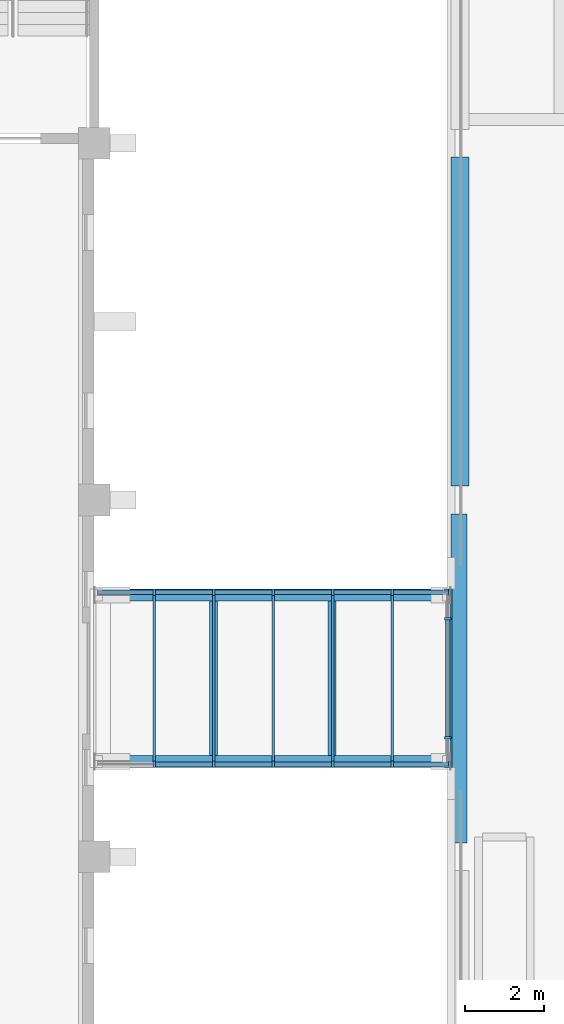
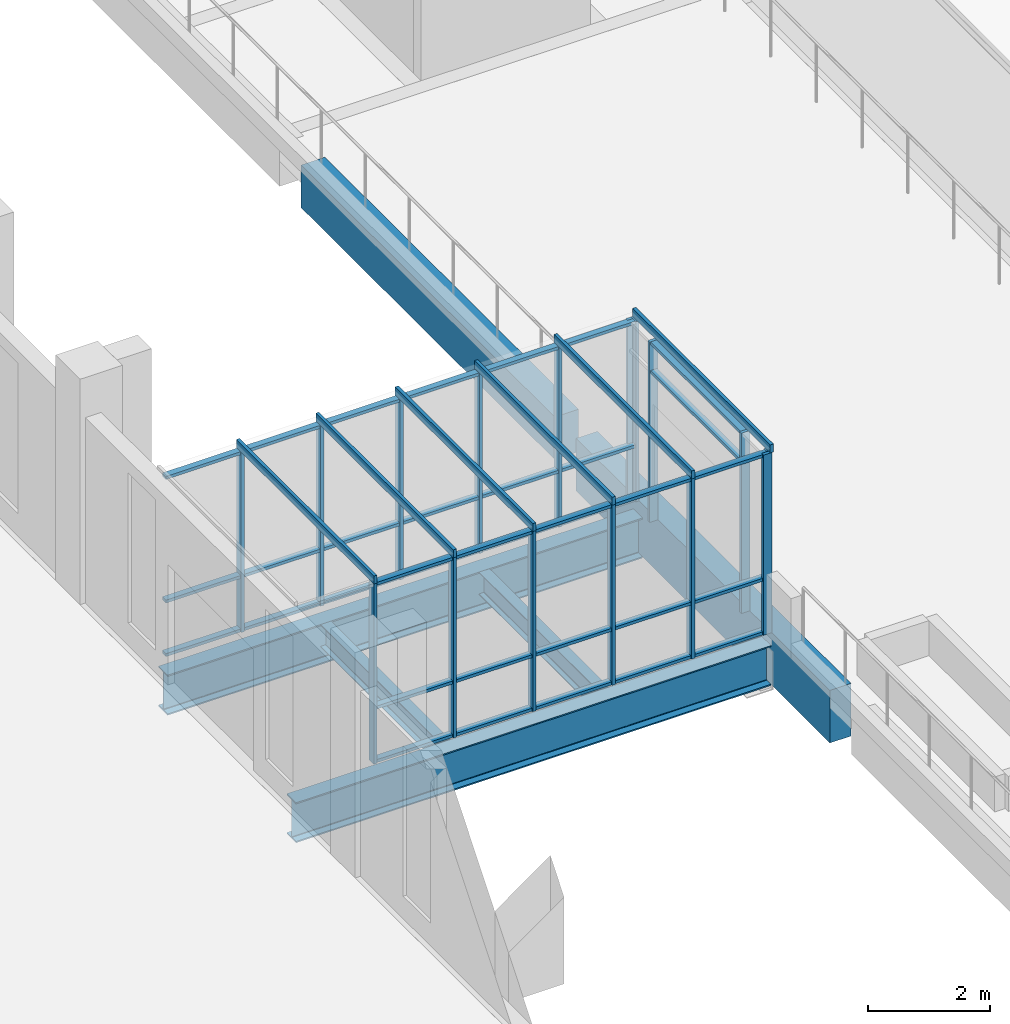
# One storey, part 18 of 79: 57 members, 6 beams, 4 elements without a shape of their own.
"""IFC4 building model written with IfcOpenShell, lengths in metres."""

from ifc_helpers import new_model, si_unit, direction, frame, origin, origin_2d, place, context, subcontext, project, spatial, rectangle, i_section, extrude, material, layer, layer_set, material_profile, profile_set, type_object, element, aggregate, save


model = new_model("IFC4")

# Units and contexts
model_context = context("Model", 3, precision=1e-05, world=origin(), true_north=direction((0.0, 1.0)))
body_context = subcontext(model_context, "Body", "Model", "MODEL_VIEW")
ifc_project = project(units=[si_unit("LENGTHUNIT", "METRE"), si_unit("AREAUNIT", "SQUARE_METRE"), si_unit("VOLUMEUNIT", "CUBIC_METRE"), si_unit("PLANEANGLEUNIT", "RADIAN"), si_unit("MASSUNIT", "GRAM", prefix="KILO")], contexts=[model_context])

# Site, building, storey
site_placement = place(None, origin())
site = spatial("IfcSite", under=ifc_project, at=site_placement, CompositionType="ELEMENT")
building_placement = place(site_placement, origin())
building = spatial("IfcBuilding", under=site, at=building_placement, Name="Guidao Yard Department Store", CompositionType="ELEMENT")
storey_placement = place(building_placement, frame((0.0, 0.0, 15.0)))
storey = spatial("IfcBuildingStorey", under=building, at=storey_placement, Name="L03", CompositionType="ELEMENT", Elevation=15.0)

# Beams
ifc_material_1 = material(Name="Concrete C40", Category="concrete")
ifc_material_profile_1 = material_profile(ifc_material_1, rectangle(XDim=0.39990234375, YDim=1.050048828125, at=origin_2d()), Name="Bridge landing beam 400 x 1050 C40")
ifc_profile_set_1 = profile_set([ifc_material_profile_1], Name="Concrete C40")
beam_type_1 = type_object("IfcBeamType", Name="Bridge landing beam 400 x 1050 C40", PredefinedType="BEAM", material=ifc_profile_set_1)
beam_1_placement = place(storey_placement, frame((72.199951171875, 63.35009765625, -0.52490234375), z_axis=(0.0, 1.0, 0.0), x_axis=(-1.0, 0.0, 0.0)))
element("IfcBeam", 1, at=beam_1_placement, inside=storey, type_object=beam_type_1, Name="Beam LB02", PredefinedType="BEAM", context=body_context, shape_type="SweptSolid", body=[
    extrude(rectangle(XDim=0.39990234375, YDim=1.050048828125, at=origin_2d()), origin(), (0.0, 0.0, 1.0), 8.2998046875),
])
ifc_material_2 = material(Name="Concrete C40", Category="concrete")
ifc_material_profile_2 = material_profile(ifc_material_2, rectangle(XDim=0.449951171875, YDim=0.85009765625, at=origin_2d()), Name="Garden roof spandrel beam 450 x 850 C40")
ifc_profile_set_2 = profile_set([ifc_material_profile_2], Name="Concrete C40")
beam_type_2 = type_object("IfcBeamType", Name="Garden roof spandrel beam 450 x 850 C40", PredefinedType="SPANDREL", material=ifc_profile_set_2)
beam_2_placement = place(storey_placement, frame((72.22509765625, 72.35009765625, -0.425048828125), z_axis=(0.0, 1.0, 0.0), x_axis=(-1.0, 0.0, 0.0)))
element("IfcBeam", 2, at=beam_2_placement, inside=storey, type_object=beam_type_2, Name="Beam EB49", PredefinedType="SPANDREL", context=body_context, shape_type="SweptSolid", body=[
    extrude(rectangle(XDim=0.449951171875, YDim=0.85009765625, at=origin_2d()), origin(), (0.0, 0.0, 1.0), 8.2998046875),
])
ifc_material_3 = material(Name="Steel Q355B", Category="steel")
ifc_material_profile_3 = material_profile(ifc_material_3, i_section(OverallWidth=0.199951171875, OverallDepth=0.449951171875, WebThickness=0.009033203125, FlangeThickness=0.013916015625, FilletRadius=0.012939453125, at=origin_2d()), Name="HN 450x200x9x14")
ifc_profile_set_3 = profile_set([ifc_material_profile_3], Name="Steel Q355B")
beam_type_3 = type_object("IfcBeamType", Name="HN 450x200x9x14", PredefinedType="BEAM", material=ifc_profile_set_3)
for number, where, z_axis, x_axis, name in (
    (3, (66.0048828125, 65.550048828125, -0.47509765625), (0.0, 1.0, 0.0), (-1.0, 0.0, 0.0), "Bridge cross beam BR05-1"),
    (4, (68.9951171875, 65.550048828125, -0.47509765625), (0.0, 1.0, 0.0), (-1.0, 0.0, 0.0), "Bridge cross beam BR05-2"),
):
    element("IfcBeam", number, at=place(storey_placement, frame(where, z_axis=z_axis, x_axis=x_axis)), inside=storey, type_object=beam_type_3, Name=name, PredefinedType="BEAM", context=body_context, shape_type="SweptSolid", body=[
        extrude(i_section(OverallWidth=0.199951171875, OverallDepth=0.449951171875, WebThickness=0.009033203125, FlangeThickness=0.013916015625, FilletRadius=0.012939453125, at=origin_2d()), origin(), (0.0, 0.0, 1.0), 3.89990234375),
    ])
ifc_material_4 = material(Name="Steel Q355B", Category="steel")
ifc_material_profile_4 = material_profile(ifc_material_4, i_section(OverallWidth=0.300048828125, OverallDepth=0.800048828125, WebThickness=0.013916015625, FlangeThickness=0.02587890625, FilletRadius=0.01806640625, at=origin_2d()), Name="HN 800x300x14x26")
ifc_profile_set_4 = profile_set([ifc_material_profile_4], Name="Steel Q355B")
beam_type_4 = type_object("IfcBeamType", Name="HN 800x300x14x26", PredefinedType="BEAM", material=ifc_profile_set_4)
for number, where, z_axis, x_axis, name in (
    (5, (63.014892578125, 65.39990234375, -0.64990234375), (1.0, 0.0, 0.0), (0.0, 1.0, 0.0), "Bridge girder BR05S"),
    (6, (63.014892578125, 69.60009765625, -0.64990234375), (1.0, 0.0, 0.0), (0.0, 1.0, 0.0), "Bridge girder BR05N"),
):
    element("IfcBeam", number, at=place(storey_placement, frame(where, z_axis=z_axis, x_axis=x_axis)), inside=storey, type_object=beam_type_4, Name=name, PredefinedType="BEAM", context=body_context, shape_type="SweptSolid", body=[
        extrude(i_section(OverallWidth=0.300048828125, OverallDepth=0.800048828125, WebThickness=0.013916015625, FlangeThickness=0.02587890625, FilletRadius=0.01806640625, at=origin_2d()), origin(), (0.0, 0.0, 1.0), 8.97021484375),
    ])

# Curtain wall, members
ifc_material_5 = material(Name="Aluminium and glass", Category="aluminium")
ifc_layer = layer(ifc_material_5, 0.159912109375)
ifc_layer_set = layer_set([ifc_layer], Name="Bridge glazing CW5 1500 module")
curtain_wall_type = type_object("IfcCurtainWallType", Name="Bridge glazing CW5 1500 module", PredefinedType="NOTDEFINED", material=ifc_layer_set)
curtain_wall_1_placement = place(storey_placement, origin())
curtain_wall_1 = element("IfcCurtainWall", 7, at=curtain_wall_1_placement, inside=storey, type_object=curtain_wall_type, Name="Bridge glazing BR05 S", PredefinedType="NOTDEFINED")
ifc_material_6 = material(Name="Aluminium 6063-T5", Category="aluminium")
ifc_material_profile_5 = material_profile(ifc_material_6, rectangle(XDim=0.06005859375, YDim=0.159912109375, at=origin_2d()), Name="Mullion M1 60 x 160 aluminium pressure plate")
ifc_profile_set_5 = profile_set([ifc_material_profile_5], Name="Aluminium 6063-T5")
member_type_1 = type_object("IfcMemberType", Name="Mullion M1 60 x 160 aluminium pressure plate", PredefinedType="MULLION", material=ifc_profile_set_5)
member_1_placement = place(storey_placement, frame((64.514892578125, 65.330078125, 0.0), z_axis=(0.0, 0.0, 1.0), x_axis=(-1.0, 0.0, 0.0)))
member_1 = element("IfcMember", 8, at=member_1_placement, type_object=member_type_1, Name="CW-S-L03-01 mullion 2", PredefinedType="MULLION", context=body_context, shape_type="SweptSolid", body=[
    extrude(rectangle(XDim=0.06005859375, YDim=0.159912109375, at=origin_2d()), origin(), (0.0, 0.0, 1.0), 3.60009765625),
])
member_2_placement = place(storey_placement, frame((66.014892578125, 65.330078125, 0.0), z_axis=(0.0, 0.0, 1.0), x_axis=(-1.0, 0.0, 0.0)))
member_2 = element("IfcMember", 9, at=member_2_placement, type_object=member_type_1, Name="CW-S-L03-01 mullion 3", PredefinedType="MULLION", context=body_context, shape_type="SweptSolid", body=[
    extrude(rectangle(XDim=0.06005859375, YDim=0.159912109375, at=origin_2d()), origin(), (0.0, 0.0, 1.0), 3.60009765625),
])
member_3_placement = place(storey_placement, frame((67.514892578125, 65.330078125, 0.0), z_axis=(0.0, 0.0, 1.0), x_axis=(-1.0, 0.0, 0.0)))
member_3 = element("IfcMember", 10, at=member_3_placement, type_object=member_type_1, Name="CW-S-L03-01 mullion 4", PredefinedType="MULLION", context=body_context, shape_type="SweptSolid", body=[
    extrude(rectangle(XDim=0.06005859375, YDim=0.159912109375, at=origin_2d()), origin(), (0.0, 0.0, 1.0), 3.60009765625),
])
member_4_placement = place(storey_placement, frame((69.014892578125, 65.330078125, 0.0), z_axis=(0.0, 0.0, 1.0), x_axis=(-1.0, 0.0, 0.0)))
member_4 = element("IfcMember", 11, at=member_4_placement, type_object=member_type_1, Name="CW-S-L03-01 mullion 5", PredefinedType="MULLION", context=body_context, shape_type="SweptSolid", body=[
    extrude(rectangle(XDim=0.06005859375, YDim=0.159912109375, at=origin_2d()), origin(), (0.0, 0.0, 1.0), 3.60009765625),
])
member_5_placement = place(storey_placement, frame((70.514892578125, 65.330078125, 0.0), z_axis=(0.0, 0.0, 1.0), x_axis=(-1.0, 0.0, 0.0)))
member_5 = element("IfcMember", 12, at=member_5_placement, type_object=member_type_1, Name="CW-S-L03-01 mullion 6", PredefinedType="MULLION", context=body_context, shape_type="SweptSolid", body=[
    extrude(rectangle(XDim=0.06005859375, YDim=0.159912109375, at=origin_2d()), origin(), (0.0, 0.0, 1.0), 3.60009765625),
])
member_6_placement = place(storey_placement, frame((71.969970703125, 65.330078125, 0.0), z_axis=(0.0, 0.0, 1.0), x_axis=(-1.0, 0.0, 0.0)))
member_6 = element("IfcMember", 13, at=member_6_placement, type_object=member_type_1, Name="CW-S-L03-01 mullion 7", PredefinedType="MULLION", context=body_context, shape_type="SweptSolid", body=[
    extrude(rectangle(XDim=0.06005859375, YDim=0.159912109375, at=origin_2d()), origin(), (0.0, 0.0, 1.0), 3.60009765625),
])

curtain_wall_2_placement = place(storey_placement, origin())
curtain_wall_2 = element("IfcCurtainWall", 14, at=curtain_wall_2_placement, inside=storey, type_object=curtain_wall_type, Name="Bridge glazing BR05 N", PredefinedType="NOTDEFINED")
member_7_placement = place(storey_placement, frame((64.514892578125, 69.669921875, 0.0), z_axis=(0.0, 0.0, 1.0), x_axis=(1.0, 0.0, 0.0)))
member_7 = element("IfcMember", 15, at=member_7_placement, type_object=member_type_1, Name="CW-N-L03-02 mullion 2", PredefinedType="MULLION", context=body_context, shape_type="SweptSolid", body=[
    extrude(rectangle(XDim=0.06005859375, YDim=0.159912109375, at=origin_2d()), origin(), (0.0, 0.0, 1.0), 3.60009765625),
])
member_8_placement = place(storey_placement, frame((66.014892578125, 69.669921875, 0.0), z_axis=(0.0, 0.0, 1.0), x_axis=(1.0, 0.0, 0.0)))
member_8 = element("IfcMember", 16, at=member_8_placement, type_object=member_type_1, Name="CW-N-L03-02 mullion 3", PredefinedType="MULLION", context=body_context, shape_type="SweptSolid", body=[
    extrude(rectangle(XDim=0.06005859375, YDim=0.159912109375, at=origin_2d()), origin(), (0.0, 0.0, 1.0), 3.60009765625),
])
member_9_placement = place(storey_placement, frame((67.514892578125, 69.669921875, 0.0), z_axis=(0.0, 0.0, 1.0), x_axis=(1.0, 0.0, 0.0)))
member_9 = element("IfcMember", 17, at=member_9_placement, type_object=member_type_1, Name="CW-N-L03-02 mullion 4", PredefinedType="MULLION", context=body_context, shape_type="SweptSolid", body=[
    extrude(rectangle(XDim=0.06005859375, YDim=0.159912109375, at=origin_2d()), origin(), (0.0, 0.0, 1.0), 3.60009765625),
])
member_10_placement = place(storey_placement, frame((69.014892578125, 69.669921875, 0.0), z_axis=(0.0, 0.0, 1.0), x_axis=(1.0, 0.0, 0.0)))
member_10 = element("IfcMember", 18, at=member_10_placement, type_object=member_type_1, Name="CW-N-L03-02 mullion 5", PredefinedType="MULLION", context=body_context, shape_type="SweptSolid", body=[
    extrude(rectangle(XDim=0.06005859375, YDim=0.159912109375, at=origin_2d()), origin(), (0.0, 0.0, 1.0), 3.60009765625),
])
member_11_placement = place(storey_placement, frame((70.514892578125, 69.669921875, 0.0), z_axis=(0.0, 0.0, 1.0), x_axis=(1.0, 0.0, 0.0)))
member_11 = element("IfcMember", 19, at=member_11_placement, type_object=member_type_1, Name="CW-N-L03-02 mullion 6", PredefinedType="MULLION", context=body_context, shape_type="SweptSolid", body=[
    extrude(rectangle(XDim=0.06005859375, YDim=0.159912109375, at=origin_2d()), origin(), (0.0, 0.0, 1.0), 3.60009765625),
])
member_12_placement = place(storey_placement, frame((71.969970703125, 69.669921875, 0.0), z_axis=(0.0, 0.0, 1.0), x_axis=(1.0, 0.0, 0.0)))
member_12 = element("IfcMember", 20, at=member_12_placement, type_object=member_type_1, Name="CW-N-L03-02 mullion 7", PredefinedType="MULLION", context=body_context, shape_type="SweptSolid", body=[
    extrude(rectangle(XDim=0.06005859375, YDim=0.159912109375, at=origin_2d()), origin(), (0.0, 0.0, 1.0), 3.60009765625),
])

curtain_wall_3_placement = place(storey_placement, origin())
curtain_wall_3 = element("IfcCurtainWall", 21, at=curtain_wall_3_placement, inside=storey, type_object=curtain_wall_type, Name="Bridge end screen BR05", PredefinedType="NOTDEFINED")
member_13_placement = place(storey_placement, frame((71.919921875, 65.280029296875, 0.0), z_axis=(0.0, 0.0, 1.0), x_axis=(0.0, -1.0, 0.0)))
member_13 = element("IfcMember", 22, at=member_13_placement, type_object=member_type_1, Name="CW-E-L03-03 mullion 1", PredefinedType="MULLION", context=body_context, shape_type="SweptSolid", body=[
    extrude(rectangle(XDim=0.06005859375, YDim=0.159912109375, at=origin_2d()), origin(), (0.0, 0.0, 1.0), 3.60009765625),
])
member_14_placement = place(storey_placement, frame((71.919921875, 66.0, 0.0), z_axis=(0.0, 0.0, 1.0), x_axis=(0.0, -1.0, 0.0)))
member_14 = element("IfcMember", 23, at=member_14_placement, type_object=member_type_1, Name="CW-E-L03-03 mullion 2", PredefinedType="MULLION", context=body_context, shape_type="SweptSolid", body=[
    extrude(rectangle(XDim=0.06005859375, YDim=0.159912109375, at=origin_2d()), origin(), (0.0, 0.0, 1.0), 3.60009765625),
])
member_15_placement = place(storey_placement, frame((71.919921875, 69.0, 0.0), z_axis=(0.0, 0.0, 1.0), x_axis=(0.0, -1.0, 0.0)))
member_15 = element("IfcMember", 24, at=member_15_placement, type_object=member_type_1, Name="CW-E-L03-03 mullion 3", PredefinedType="MULLION", context=body_context, shape_type="SweptSolid", body=[
    extrude(rectangle(XDim=0.06005859375, YDim=0.159912109375, at=origin_2d()), origin(), (0.0, 0.0, 1.0), 3.60009765625),
])
member_16_placement = place(storey_placement, frame((71.919921875, 69.719970703125, 0.0), z_axis=(0.0, 0.0, 1.0), x_axis=(0.0, -1.0, 0.0)))
member_16 = element("IfcMember", 25, at=member_16_placement, type_object=member_type_1, Name="CW-E-L03-03 mullion 4", PredefinedType="MULLION", context=body_context, shape_type="SweptSolid", body=[
    extrude(rectangle(XDim=0.06005859375, YDim=0.159912109375, at=origin_2d()), origin(), (0.0, 0.0, 1.0), 3.60009765625),
])

curtain_wall_4_placement = place(storey_placement, origin())
curtain_wall_4 = element("IfcCurtainWall", 26, at=curtain_wall_4_placement, inside=storey, type_object=curtain_wall_type, Name="Bridge roof glazing BR05", PredefinedType="NOTDEFINED")
ifc_material_7 = material(Name="Aluminium 6063-T5", Category="aluminium")
ifc_material_profile_6 = material_profile(ifc_material_7, rectangle(XDim=0.06005859375, YDim=0.159912109375, at=origin_2d()), Name="Roof bar RB1 60 x 160 aluminium")
ifc_profile_set_6 = profile_set([ifc_material_profile_6], Name="Aluminium 6063-T5")
member_type_2 = type_object("IfcMemberType", Name="Roof bar RB1 60 x 160 aluminium", PredefinedType="USERDEFINED", material=ifc_profile_set_6)
member_17_placement = place(storey_placement, frame((64.514892578125, 65.25, 3.679931640625), z_axis=(0.0, 1.0, 0.0), x_axis=(-1.0, 0.0, 0.0)))
member_17 = element("IfcMember", 27, at=member_17_placement, type_object=member_type_2, Name="Bridge roof bar BR05", ObjectType="TRANSOM", PredefinedType="USERDEFINED", context=body_context, shape_type="SweptSolid", body=[
    extrude(rectangle(XDim=0.06005859375, YDim=0.159912109375, at=origin_2d()), origin(), (0.0, 0.0, 1.0), 4.5),
])
member_18_placement = place(storey_placement, frame((66.014892578125, 65.25, 3.679931640625), z_axis=(0.0, 1.0, 0.0), x_axis=(-1.0, 0.0, 0.0)))
member_18 = element("IfcMember", 28, at=member_18_placement, type_object=member_type_2, Name="Bridge roof bar BR05", ObjectType="TRANSOM", PredefinedType="USERDEFINED", context=body_context, shape_type="SweptSolid", body=[
    extrude(rectangle(XDim=0.06005859375, YDim=0.159912109375, at=origin_2d()), origin(), (0.0, 0.0, 1.0), 4.5),
])
member_19_placement = place(storey_placement, frame((67.514892578125, 65.25, 3.679931640625), z_axis=(0.0, 1.0, 0.0), x_axis=(-1.0, 0.0, 0.0)))
member_19 = element("IfcMember", 29, at=member_19_placement, type_object=member_type_2, Name="Bridge roof bar BR05", ObjectType="TRANSOM", PredefinedType="USERDEFINED", context=body_context, shape_type="SweptSolid", body=[
    extrude(rectangle(XDim=0.06005859375, YDim=0.159912109375, at=origin_2d()), origin(), (0.0, 0.0, 1.0), 4.5),
])
member_20_placement = place(storey_placement, frame((69.014892578125, 65.25, 3.679931640625), z_axis=(0.0, 1.0, 0.0), x_axis=(-1.0, 0.0, 0.0)))
member_20 = element("IfcMember", 30, at=member_20_placement, type_object=member_type_2, Name="Bridge roof bar BR05", ObjectType="TRANSOM", PredefinedType="USERDEFINED", context=body_context, shape_type="SweptSolid", body=[
    extrude(rectangle(XDim=0.06005859375, YDim=0.159912109375, at=origin_2d()), origin(), (0.0, 0.0, 1.0), 4.5),
])
member_21_placement = place(storey_placement, frame((70.514892578125, 65.25, 3.679931640625), z_axis=(0.0, 1.0, 0.0), x_axis=(-1.0, 0.0, 0.0)))
member_21 = element("IfcMember", 31, at=member_21_placement, type_object=member_type_2, Name="Bridge roof bar BR05", ObjectType="TRANSOM", PredefinedType="USERDEFINED", context=body_context, shape_type="SweptSolid", body=[
    extrude(rectangle(XDim=0.06005859375, YDim=0.159912109375, at=origin_2d()), origin(), (0.0, 0.0, 1.0), 4.5),
])
member_22_placement = place(storey_placement, frame((72.0, 65.25, 3.679931640625), z_axis=(0.0, 1.0, 0.0), x_axis=(-1.0, 0.0, 0.0)))
member_22 = element("IfcMember", 32, at=member_22_placement, type_object=member_type_2, Name="Bridge roof bar BR05", ObjectType="TRANSOM", PredefinedType="USERDEFINED", context=body_context, shape_type="SweptSolid", body=[
    extrude(rectangle(XDim=0.06005859375, YDim=0.159912109375, at=origin_2d()), origin(), (0.0, 0.0, 1.0), 4.5),
])
aggregate(curtain_wall_4, [member_17, member_18, member_19, member_20, member_21, member_22])

# Member
ifc_material_8 = material(Name="Aluminium 6063-T5", Category="aluminium")
ifc_material_profile_7 = material_profile(ifc_material_8, rectangle(XDim=0.1201171875, YDim=0.06005859375, at=origin_2d()), Name="Transom T1 60 x 120 aluminium pressure plate")
ifc_profile_set_7 = profile_set([ifc_material_profile_7], Name="Aluminium 6063-T5")
member_type_3 = type_object("IfcMemberType", Name="Transom T1 60 x 120 aluminium pressure plate", PredefinedType="USERDEFINED", material=ifc_profile_set_7)
member_23_placement = place(storey_placement, frame((65.985107421875, 65.330078125, 0.030029296875), z_axis=(-1.0, 0.0, 0.0), x_axis=(0.0, -1.0, 0.0)))
member_23 = element("IfcMember", 33, at=member_23_placement, type_object=member_type_3, Name="CW-S-L03-01 transom 2.1", ObjectType="TRANSOM", PredefinedType="USERDEFINED", context=body_context, shape_type="SweptSolid", body=[
    extrude(rectangle(XDim=0.1201171875, YDim=0.06005859375, at=origin_2d()), origin(), (0.0, 0.0, 1.0), 1.440185546875),
])

member_24_placement = place(storey_placement, frame((65.985107421875, 65.330078125, 1.10009765625), z_axis=(-1.0, 0.0, 0.0), x_axis=(0.0, -1.0, 0.0)))
member_24 = element("IfcMember", 34, at=member_24_placement, type_object=member_type_3, Name="CW-S-L03-01 transom 2.2", ObjectType="TRANSOM", PredefinedType="USERDEFINED", context=body_context, shape_type="SweptSolid", body=[
    extrude(rectangle(XDim=0.1201171875, YDim=0.06005859375, at=origin_2d()), origin(), (0.0, 0.0, 1.0), 1.440185546875),
])

member_25_placement = place(storey_placement, frame((65.985107421875, 65.330078125, 3.570068359375), z_axis=(-1.0, 0.0, 0.0), x_axis=(0.0, -1.0, 0.0)))
member_25 = element("IfcMember", 35, at=member_25_placement, type_object=member_type_3, Name="CW-S-L03-01 transom 2.3", ObjectType="TRANSOM", PredefinedType="USERDEFINED", context=body_context, shape_type="SweptSolid", body=[
    extrude(rectangle(XDim=0.1201171875, YDim=0.06005859375, at=origin_2d()), origin(), (0.0, 0.0, 1.0), 1.440185546875),
])

member_26_placement = place(storey_placement, frame((67.485107421875, 65.330078125, 0.030029296875), z_axis=(-1.0, 0.0, 0.0), x_axis=(0.0, -1.0, 0.0)))
member_26 = element("IfcMember", 36, at=member_26_placement, type_object=member_type_3, Name="CW-S-L03-01 transom 3.1", ObjectType="TRANSOM", PredefinedType="USERDEFINED", context=body_context, shape_type="SweptSolid", body=[
    extrude(rectangle(XDim=0.1201171875, YDim=0.06005859375, at=origin_2d()), origin(), (0.0, 0.0, 1.0), 1.440185546875),
])

member_27_placement = place(storey_placement, frame((67.485107421875, 65.330078125, 1.10009765625), z_axis=(-1.0, 0.0, 0.0), x_axis=(0.0, -1.0, 0.0)))
member_27 = element("IfcMember", 37, at=member_27_placement, type_object=member_type_3, Name="CW-S-L03-01 transom 3.2", ObjectType="TRANSOM", PredefinedType="USERDEFINED", context=body_context, shape_type="SweptSolid", body=[
    extrude(rectangle(XDim=0.1201171875, YDim=0.06005859375, at=origin_2d()), origin(), (0.0, 0.0, 1.0), 1.440185546875),
])

member_28_placement = place(storey_placement, frame((67.485107421875, 65.330078125, 3.570068359375), z_axis=(-1.0, 0.0, 0.0), x_axis=(0.0, -1.0, 0.0)))
member_28 = element("IfcMember", 38, at=member_28_placement, type_object=member_type_3, Name="CW-S-L03-01 transom 3.3", ObjectType="TRANSOM", PredefinedType="USERDEFINED", context=body_context, shape_type="SweptSolid", body=[
    extrude(rectangle(XDim=0.1201171875, YDim=0.06005859375, at=origin_2d()), origin(), (0.0, 0.0, 1.0), 1.440185546875),
])

member_29_placement = place(storey_placement, frame((68.985107421875, 65.330078125, 0.030029296875), z_axis=(-1.0, 0.0, 0.0), x_axis=(0.0, -1.0, 0.0)))
member_29 = element("IfcMember", 39, at=member_29_placement, type_object=member_type_3, Name="CW-S-L03-01 transom 4.1", ObjectType="TRANSOM", PredefinedType="USERDEFINED", context=body_context, shape_type="SweptSolid", body=[
    extrude(rectangle(XDim=0.1201171875, YDim=0.06005859375, at=origin_2d()), origin(), (0.0, 0.0, 1.0), 1.440185546875),
])

member_30_placement = place(storey_placement, frame((68.985107421875, 65.330078125, 1.10009765625), z_axis=(-1.0, 0.0, 0.0), x_axis=(0.0, -1.0, 0.0)))
member_30 = element("IfcMember", 40, at=member_30_placement, type_object=member_type_3, Name="CW-S-L03-01 transom 4.2", ObjectType="TRANSOM", PredefinedType="USERDEFINED", context=body_context, shape_type="SweptSolid", body=[
    extrude(rectangle(XDim=0.1201171875, YDim=0.06005859375, at=origin_2d()), origin(), (0.0, 0.0, 1.0), 1.440185546875),
])

member_31_placement = place(storey_placement, frame((68.985107421875, 65.330078125, 3.570068359375), z_axis=(-1.0, 0.0, 0.0), x_axis=(0.0, -1.0, 0.0)))
member_31 = element("IfcMember", 41, at=member_31_placement, type_object=member_type_3, Name="CW-S-L03-01 transom 4.3", ObjectType="TRANSOM", PredefinedType="USERDEFINED", context=body_context, shape_type="SweptSolid", body=[
    extrude(rectangle(XDim=0.1201171875, YDim=0.06005859375, at=origin_2d()), origin(), (0.0, 0.0, 1.0), 1.440185546875),
])

member_32_placement = place(storey_placement, frame((70.485107421875, 65.330078125, 0.030029296875), z_axis=(-1.0, 0.0, 0.0), x_axis=(0.0, -1.0, 0.0)))
member_32 = element("IfcMember", 42, at=member_32_placement, type_object=member_type_3, Name="CW-S-L03-01 transom 5.1", ObjectType="TRANSOM", PredefinedType="USERDEFINED", context=body_context, shape_type="SweptSolid", body=[
    extrude(rectangle(XDim=0.1201171875, YDim=0.06005859375, at=origin_2d()), origin(), (0.0, 0.0, 1.0), 1.440185546875),
])

member_33_placement = place(storey_placement, frame((70.485107421875, 65.330078125, 1.10009765625), z_axis=(-1.0, 0.0, 0.0), x_axis=(0.0, -1.0, 0.0)))
member_33 = element("IfcMember", 43, at=member_33_placement, type_object=member_type_3, Name="CW-S-L03-01 transom 5.2", ObjectType="TRANSOM", PredefinedType="USERDEFINED", context=body_context, shape_type="SweptSolid", body=[
    extrude(rectangle(XDim=0.1201171875, YDim=0.06005859375, at=origin_2d()), origin(), (0.0, 0.0, 1.0), 1.440185546875),
])

member_34_placement = place(storey_placement, frame((70.485107421875, 65.330078125, 3.570068359375), z_axis=(-1.0, 0.0, 0.0), x_axis=(0.0, -1.0, 0.0)))
member_34 = element("IfcMember", 44, at=member_34_placement, type_object=member_type_3, Name="CW-S-L03-01 transom 5.3", ObjectType="TRANSOM", PredefinedType="USERDEFINED", context=body_context, shape_type="SweptSolid", body=[
    extrude(rectangle(XDim=0.1201171875, YDim=0.06005859375, at=origin_2d()), origin(), (0.0, 0.0, 1.0), 1.440185546875),
])

member_35_placement = place(storey_placement, frame((71.93994140625, 65.330078125, 0.030029296875), z_axis=(-1.0, 0.0, 0.0), x_axis=(0.0, -1.0, 0.0)))
member_35 = element("IfcMember", 45, at=member_35_placement, type_object=member_type_3, Name="CW-S-L03-01 transom 6.1", ObjectType="TRANSOM", PredefinedType="USERDEFINED", context=body_context, shape_type="SweptSolid", body=[
    extrude(rectangle(XDim=0.1201171875, YDim=0.06005859375, at=origin_2d()), origin(), (0.0, 0.0, 1.0), 1.39501953125),
])

member_36_placement = place(storey_placement, frame((71.93994140625, 65.330078125, 1.10009765625), z_axis=(-1.0, 0.0, 0.0), x_axis=(0.0, -1.0, 0.0)))
member_36 = element("IfcMember", 46, at=member_36_placement, type_object=member_type_3, Name="CW-S-L03-01 transom 6.2", ObjectType="TRANSOM", PredefinedType="USERDEFINED", context=body_context, shape_type="SweptSolid", body=[
    extrude(rectangle(XDim=0.1201171875, YDim=0.06005859375, at=origin_2d()), origin(), (0.0, 0.0, 1.0), 1.39501953125),
])

member_37_placement = place(storey_placement, frame((71.93994140625, 65.330078125, 3.570068359375), z_axis=(-1.0, 0.0, 0.0), x_axis=(0.0, -1.0, 0.0)))
member_37 = element("IfcMember", 47, at=member_37_placement, type_object=member_type_3, Name="CW-S-L03-01 transom 6.3", ObjectType="TRANSOM", PredefinedType="USERDEFINED", context=body_context, shape_type="SweptSolid", body=[
    extrude(rectangle(XDim=0.1201171875, YDim=0.06005859375, at=origin_2d()), origin(), (0.0, 0.0, 1.0), 1.39501953125),
])

aggregate(curtain_wall_1, [member_1, member_2, member_3, member_4, member_5, member_6, member_23, member_24, member_25, member_26, member_27, member_28, member_29, member_30, member_31, member_32, member_33, member_34, member_35, member_36, member_37])

member_38_placement = place(storey_placement, frame((63.074951171875, 69.669921875, 0.030029296875), z_axis=(1.0, 0.0, 0.0), x_axis=(0.0, 1.0, 0.0)))
member_38 = element("IfcMember", 48, at=member_38_placement, type_object=member_type_3, Name="CW-N-L03-02 transom 1.1", ObjectType="TRANSOM", PredefinedType="USERDEFINED", context=body_context, shape_type="SweptSolid", body=[
    extrude(rectangle(XDim=0.1201171875, YDim=0.06005859375, at=origin_2d()), origin(), (0.0, 0.0, 1.0), 1.41015625),
])

member_39_placement = place(storey_placement, frame((63.074951171875, 69.669921875, 1.10009765625), z_axis=(1.0, 0.0, 0.0), x_axis=(0.0, 1.0, 0.0)))
member_39 = element("IfcMember", 49, at=member_39_placement, type_object=member_type_3, Name="CW-N-L03-02 transom 1.2", ObjectType="TRANSOM", PredefinedType="USERDEFINED", context=body_context, shape_type="SweptSolid", body=[
    extrude(rectangle(XDim=0.1201171875, YDim=0.06005859375, at=origin_2d()), origin(), (0.0, 0.0, 1.0), 1.41015625),
])

member_40_placement = place(storey_placement, frame((63.074951171875, 69.669921875, 3.570068359375), z_axis=(1.0, 0.0, 0.0), x_axis=(0.0, 1.0, 0.0)))
member_40 = element("IfcMember", 50, at=member_40_placement, type_object=member_type_3, Name="CW-N-L03-02 transom 1.3", ObjectType="TRANSOM", PredefinedType="USERDEFINED", context=body_context, shape_type="SweptSolid", body=[
    extrude(rectangle(XDim=0.1201171875, YDim=0.06005859375, at=origin_2d()), origin(), (0.0, 0.0, 1.0), 1.41015625),
])

member_41_placement = place(storey_placement, frame((64.544921875, 69.669921875, 0.030029296875), z_axis=(1.0, 0.0, 0.0), x_axis=(0.0, 1.0, 0.0)))
member_41 = element("IfcMember", 51, at=member_41_placement, type_object=member_type_3, Name="CW-N-L03-02 transom 2.1", ObjectType="TRANSOM", PredefinedType="USERDEFINED", context=body_context, shape_type="SweptSolid", body=[
    extrude(rectangle(XDim=0.1201171875, YDim=0.06005859375, at=origin_2d()), origin(), (0.0, 0.0, 1.0), 1.440185546875),
])

member_42_placement = place(storey_placement, frame((64.544921875, 69.669921875, 1.10009765625), z_axis=(1.0, 0.0, 0.0), x_axis=(0.0, 1.0, 0.0)))
member_42 = element("IfcMember", 52, at=member_42_placement, type_object=member_type_3, Name="CW-N-L03-02 transom 2.2", ObjectType="TRANSOM", PredefinedType="USERDEFINED", context=body_context, shape_type="SweptSolid", body=[
    extrude(rectangle(XDim=0.1201171875, YDim=0.06005859375, at=origin_2d()), origin(), (0.0, 0.0, 1.0), 1.440185546875),
])

member_43_placement = place(storey_placement, frame((64.544921875, 69.669921875, 3.570068359375), z_axis=(1.0, 0.0, 0.0), x_axis=(0.0, 1.0, 0.0)))
member_43 = element("IfcMember", 53, at=member_43_placement, type_object=member_type_3, Name="CW-N-L03-02 transom 2.3", ObjectType="TRANSOM", PredefinedType="USERDEFINED", context=body_context, shape_type="SweptSolid", body=[
    extrude(rectangle(XDim=0.1201171875, YDim=0.06005859375, at=origin_2d()), origin(), (0.0, 0.0, 1.0), 1.440185546875),
])

member_44_placement = place(storey_placement, frame((66.044921875, 69.669921875, 0.030029296875), z_axis=(1.0, 0.0, 0.0), x_axis=(0.0, 1.0, 0.0)))
member_44 = element("IfcMember", 54, at=member_44_placement, type_object=member_type_3, Name="CW-N-L03-02 transom 3.1", ObjectType="TRANSOM", PredefinedType="USERDEFINED", context=body_context, shape_type="SweptSolid", body=[
    extrude(rectangle(XDim=0.1201171875, YDim=0.06005859375, at=origin_2d()), origin(), (0.0, 0.0, 1.0), 1.440185546875),
])

member_45_placement = place(storey_placement, frame((66.044921875, 69.669921875, 1.10009765625), z_axis=(1.0, 0.0, 0.0), x_axis=(0.0, 1.0, 0.0)))
member_45 = element("IfcMember", 55, at=member_45_placement, type_object=member_type_3, Name="CW-N-L03-02 transom 3.2", ObjectType="TRANSOM", PredefinedType="USERDEFINED", context=body_context, shape_type="SweptSolid", body=[
    extrude(rectangle(XDim=0.1201171875, YDim=0.06005859375, at=origin_2d()), origin(), (0.0, 0.0, 1.0), 1.440185546875),
])

member_46_placement = place(storey_placement, frame((66.044921875, 69.669921875, 3.570068359375), z_axis=(1.0, 0.0, 0.0), x_axis=(0.0, 1.0, 0.0)))
member_46 = element("IfcMember", 56, at=member_46_placement, type_object=member_type_3, Name="CW-N-L03-02 transom 3.3", ObjectType="TRANSOM", PredefinedType="USERDEFINED", context=body_context, shape_type="SweptSolid", body=[
    extrude(rectangle(XDim=0.1201171875, YDim=0.06005859375, at=origin_2d()), origin(), (0.0, 0.0, 1.0), 1.440185546875),
])

member_47_placement = place(storey_placement, frame((67.544921875, 69.669921875, 0.030029296875), z_axis=(1.0, 0.0, 0.0), x_axis=(0.0, 1.0, 0.0)))
member_47 = element("IfcMember", 57, at=member_47_placement, type_object=member_type_3, Name="CW-N-L03-02 transom 4.1", ObjectType="TRANSOM", PredefinedType="USERDEFINED", context=body_context, shape_type="SweptSolid", body=[
    extrude(rectangle(XDim=0.1201171875, YDim=0.06005859375, at=origin_2d()), origin(), (0.0, 0.0, 1.0), 1.440185546875),
])

member_48_placement = place(storey_placement, frame((67.544921875, 69.669921875, 1.10009765625), z_axis=(1.0, 0.0, 0.0), x_axis=(0.0, 1.0, 0.0)))
member_48 = element("IfcMember", 58, at=member_48_placement, type_object=member_type_3, Name="CW-N-L03-02 transom 4.2", ObjectType="TRANSOM", PredefinedType="USERDEFINED", context=body_context, shape_type="SweptSolid", body=[
    extrude(rectangle(XDim=0.1201171875, YDim=0.06005859375, at=origin_2d()), origin(), (0.0, 0.0, 1.0), 1.440185546875),
])

member_49_placement = place(storey_placement, frame((67.544921875, 69.669921875, 3.570068359375), z_axis=(1.0, 0.0, 0.0), x_axis=(0.0, 1.0, 0.0)))
member_49 = element("IfcMember", 59, at=member_49_placement, type_object=member_type_3, Name="CW-N-L03-02 transom 4.3", ObjectType="TRANSOM", PredefinedType="USERDEFINED", context=body_context, shape_type="SweptSolid", body=[
    extrude(rectangle(XDim=0.1201171875, YDim=0.06005859375, at=origin_2d()), origin(), (0.0, 0.0, 1.0), 1.440185546875),
])

member_50_placement = place(storey_placement, frame((69.044921875, 69.669921875, 0.030029296875), z_axis=(1.0, 0.0, 0.0), x_axis=(0.0, 1.0, 0.0)))
member_50 = element("IfcMember", 60, at=member_50_placement, type_object=member_type_3, Name="CW-N-L03-02 transom 5.1", ObjectType="TRANSOM", PredefinedType="USERDEFINED", context=body_context, shape_type="SweptSolid", body=[
    extrude(rectangle(XDim=0.1201171875, YDim=0.06005859375, at=origin_2d()), origin(), (0.0, 0.0, 1.0), 1.440185546875),
])

member_51_placement = place(storey_placement, frame((69.044921875, 69.669921875, 1.10009765625), z_axis=(1.0, 0.0, 0.0), x_axis=(0.0, 1.0, 0.0)))
member_51 = element("IfcMember", 61, at=member_51_placement, type_object=member_type_3, Name="CW-N-L03-02 transom 5.2", ObjectType="TRANSOM", PredefinedType="USERDEFINED", context=body_context, shape_type="SweptSolid", body=[
    extrude(rectangle(XDim=0.1201171875, YDim=0.06005859375, at=origin_2d()), origin(), (0.0, 0.0, 1.0), 1.440185546875),
])

member_52_placement = place(storey_placement, frame((69.044921875, 69.669921875, 3.570068359375), z_axis=(1.0, 0.0, 0.0), x_axis=(0.0, 1.0, 0.0)))
member_52 = element("IfcMember", 62, at=member_52_placement, type_object=member_type_3, Name="CW-N-L03-02 transom 5.3", ObjectType="TRANSOM", PredefinedType="USERDEFINED", context=body_context, shape_type="SweptSolid", body=[
    extrude(rectangle(XDim=0.1201171875, YDim=0.06005859375, at=origin_2d()), origin(), (0.0, 0.0, 1.0), 1.440185546875),
])

member_53_placement = place(storey_placement, frame((70.544921875, 69.669921875, 0.030029296875), z_axis=(1.0, 0.0, 0.0), x_axis=(0.0, 1.0, 0.0)))
member_53 = element("IfcMember", 63, at=member_53_placement, type_object=member_type_3, Name="CW-N-L03-02 transom 6.1", ObjectType="TRANSOM", PredefinedType="USERDEFINED", context=body_context, shape_type="SweptSolid", body=[
    extrude(rectangle(XDim=0.1201171875, YDim=0.06005859375, at=origin_2d()), origin(), (0.0, 0.0, 1.0), 1.39501953125),
])

member_54_placement = place(storey_placement, frame((70.544921875, 69.669921875, 1.10009765625), z_axis=(1.0, 0.0, 0.0), x_axis=(0.0, 1.0, 0.0)))
member_54 = element("IfcMember", 64, at=member_54_placement, type_object=member_type_3, Name="CW-N-L03-02 transom 6.2", ObjectType="TRANSOM", PredefinedType="USERDEFINED", context=body_context, shape_type="SweptSolid", body=[
    extrude(rectangle(XDim=0.1201171875, YDim=0.06005859375, at=origin_2d()), origin(), (0.0, 0.0, 1.0), 1.39501953125),
])

member_55_placement = place(storey_placement, frame((70.544921875, 69.669921875, 3.570068359375), z_axis=(1.0, 0.0, 0.0), x_axis=(0.0, 1.0, 0.0)))
member_55 = element("IfcMember", 65, at=member_55_placement, type_object=member_type_3, Name="CW-N-L03-02 transom 6.3", ObjectType="TRANSOM", PredefinedType="USERDEFINED", context=body_context, shape_type="SweptSolid", body=[
    extrude(rectangle(XDim=0.1201171875, YDim=0.06005859375, at=origin_2d()), origin(), (0.0, 0.0, 1.0), 1.39501953125),
])

aggregate(curtain_wall_2, [member_7, member_8, member_9, member_10, member_11, member_12, member_38, member_39, member_40, member_41, member_42, member_43, member_44, member_45, member_46, member_47, member_48, member_49, member_50, member_51, member_52, member_53, member_54, member_55])

member_56_placement = place(storey_placement, frame((71.919921875, 68.969970703125, 3.0), z_axis=(0.0, -1.0, 0.0), x_axis=(1.0, 0.0, 0.0)))
member_56 = element("IfcMember", 66, at=member_56_placement, type_object=member_type_3, Name="CW-E-L03-03 transom 2.2", ObjectType="TRANSOM", PredefinedType="USERDEFINED", context=body_context, shape_type="SweptSolid", body=[
    extrude(rectangle(XDim=0.1201171875, YDim=0.06005859375, at=origin_2d()), origin(), (0.0, 0.0, 1.0), 2.93994140625),
])

member_57_placement = place(storey_placement, frame((71.919921875, 68.969970703125, 3.570068359375), z_axis=(0.0, -1.0, 0.0), x_axis=(1.0, 0.0, 0.0)))
member_57 = element("IfcMember", 67, at=member_57_placement, type_object=member_type_3, Name="CW-E-L03-03 transom 2.3", ObjectType="TRANSOM", PredefinedType="USERDEFINED", context=body_context, shape_type="SweptSolid", body=[
    extrude(rectangle(XDim=0.1201171875, YDim=0.06005859375, at=origin_2d()), origin(), (0.0, 0.0, 1.0), 2.93994140625),
])

aggregate(curtain_wall_3, [member_13, member_14, member_15, member_16, member_56, member_57])

save(model, "model.ifc")
